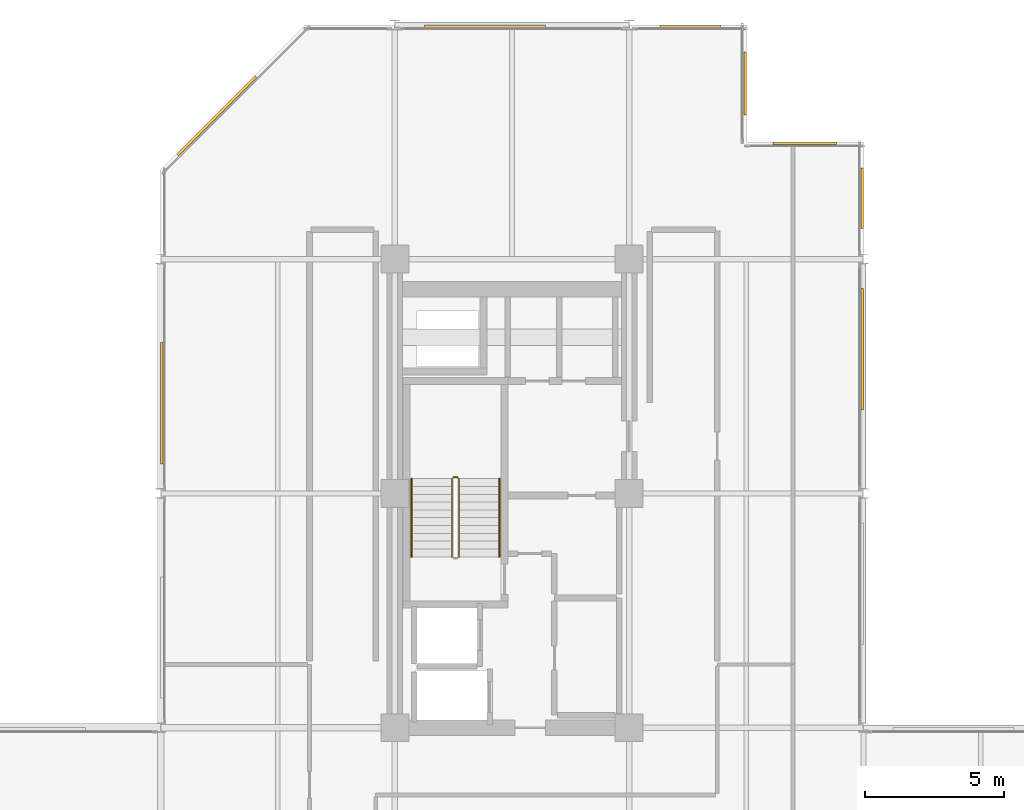
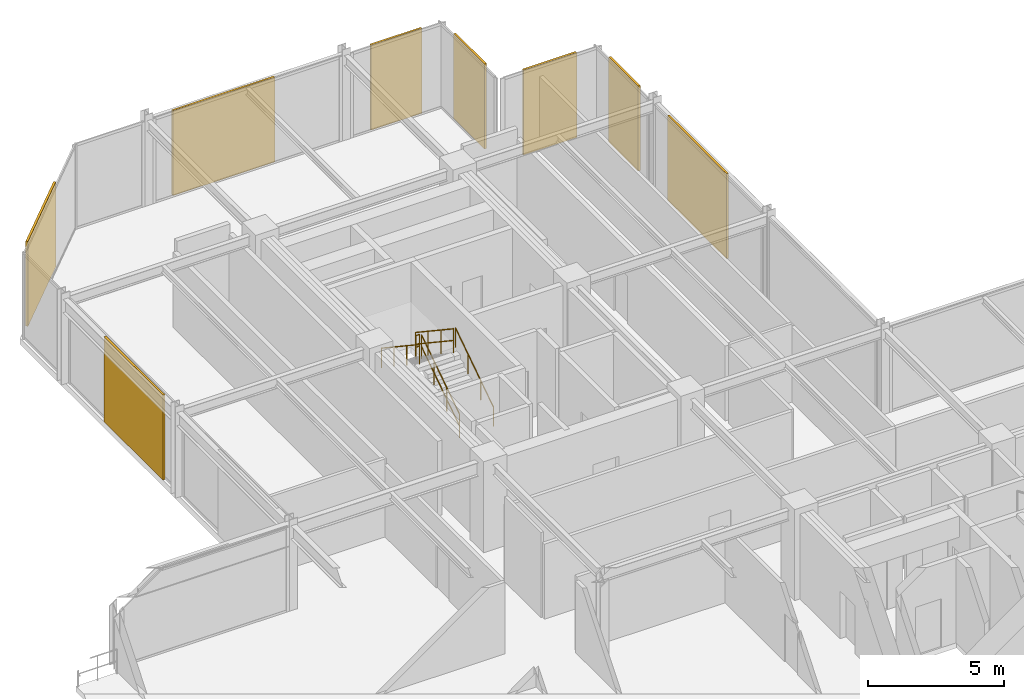
# One storey, part 29 of 29: 8 coverings, 5 railings.
"""IFC4 building model written with IfcOpenShell, lengths in metres."""

from ifc_helpers import new_model, si_unit, direction, frame, origin, origin_2d, place, context, subcontext, project, spatial, rectangle, circle, extrude, material, layer, layer_set, type_object, element, save


model = new_model("IFC4")

# Units and contexts
model_context = context("Model", 3, precision=1e-05, world=origin(), true_north=direction((0.0, 1.0)))
body_context = subcontext(model_context, "Body", "Model", "MODEL_VIEW")
ifc_project = project(units=[si_unit("LENGTHUNIT", "METRE"), si_unit("AREAUNIT", "SQUARE_METRE"), si_unit("VOLUMEUNIT", "CUBIC_METRE"), si_unit("PLANEANGLEUNIT", "RADIAN"), si_unit("MASSUNIT", "GRAM", prefix="KILO")], contexts=[model_context])

# Site, building, storey
site_placement = place(None, origin())
site = spatial("IfcSite", under=ifc_project, at=site_placement, CompositionType="ELEMENT")
building_placement = place(site_placement, origin())
building = spatial("IfcBuilding", under=site, at=building_placement, Name="Nerrivon Quay Data Exchange", CompositionType="ELEMENT")
storey_placement = place(building_placement, frame((0.0, 0.0, 208.300048828125)))
storey = spatial("IfcBuildingStorey", under=building, at=storey_placement, Name="L49", CompositionType="ELEMENT", Elevation=208.300048828125)

# Coverings
ifc_material_1 = material(Name="Architectural terracotta ceramic", Category="masonry")
ifc_layer = layer(ifc_material_1, 0.090087890625)
ifc_layer_set = layer_set([ifc_layer], Name="Architectural terracotta ceramic")
covering_type = type_object("IfcCoveringType", Name="COV-SCR-TERR", PredefinedType="CLADDING", material=ifc_layer_set)
covering_1_placement = place(storey_placement, frame((0.044921875, 36.833984375, 0.0), z_axis=(0.0, 0.0, 1.0), x_axis=(0.0, 1.0, 0.0)))
element("IfcCovering", 1, at=covering_1_placement, inside=storey, type_object=covering_type, Name="L49 Perforated Terracotta SOLAR SCREEN Cassette", PredefinedType="CLADDING", context=body_context, shape_type="SweptSolid", body=[
    extrude(rectangle(XDim=4.346923828125, YDim=0.090087890625, at=origin_2d()), origin(), (0.0, 0.0, 1.0), 3.824951171875),
])
covering_2_placement = place(storey_placement, frame((2.0078125, 47.144287109375, 0.0), z_axis=(0.0, 0.0, 1.0), x_axis=(0.707106781187, 0.707106781187, 0.0)))
element("IfcCovering", 2, at=covering_2_placement, inside=storey, type_object=covering_type, Name="L49 Perforated Terracotta SOLAR SCREEN Cassette", PredefinedType="CLADDING", context=body_context, shape_type="SweptSolid", body=[
    extrude(rectangle(XDim=3.970947265625, YDim=0.090087890625, at=origin_2d()), origin(), (0.0, 0.0, 1.0), 3.824951171875),
])
covering_3_placement = place(storey_placement, frame((11.634033203125, 50.35498046875, 0.0), z_axis=(0.0, 0.0, 1.0), x_axis=(1.0, 0.0, 0.0)))
element("IfcCovering", 3, at=covering_3_placement, inside=storey, type_object=covering_type, Name="L49 Perforated Terracotta SOLAR SCREEN Cassette", PredefinedType="CLADDING", context=body_context, shape_type="SweptSolid", body=[
    extrude(rectangle(XDim=4.346923828125, YDim=0.090087890625, at=origin_2d()), origin(), (0.0, 0.0, 1.0), 3.824951171875),
])
covering_4_placement = place(storey_placement, frame((18.987548828125, 50.35498046875, 0.0), z_axis=(0.0, 0.0, 1.0), x_axis=(1.0, 0.0, 0.0)))
element("IfcCovering", 4, at=covering_4_placement, inside=storey, type_object=covering_type, Name="L49 Perforated Terracotta SOLAR SCREEN Cassette", PredefinedType="CLADDING", context=body_context, shape_type="SweptSolid", body=[
    extrude(rectangle(XDim=2.173095703125, YDim=0.090087890625, at=origin_2d()), origin(), (0.0, 0.0, 1.0), 3.824951171875),
])
for number, where, z_axis, x_axis, name in (
    (5, (20.955078125, 48.300048828125, 0.0), (0.0, 0.0, 1.0), (0.0, -1.0, 0.0), "L49 Perforated Terracotta SOLAR SCREEN Cassette"),
    (6, (23.10009765625, 46.155029296875, 0.0), (0.0, 0.0, 1.0), (1.0, 0.0, 0.0), "L49 Perforated Terracotta SOLAR SCREEN Cassette"),
):
    element("IfcCovering", number, at=place(storey_placement, frame(where, z_axis=z_axis, x_axis=x_axis)), inside=storey, type_object=covering_type, Name=name, PredefinedType="CLADDING", context=body_context, shape_type="SweptSolid", body=[
        extrude(rectangle(XDim=2.26806640625, YDim=0.090087890625, at=origin_2d()), origin(), (0.0, 0.0, 1.0), 3.824951171875),
    ])
covering_5_placement = place(storey_placement, frame((25.155029296875, 44.1875, 0.0), z_axis=(0.0, 0.0, 1.0), x_axis=(0.0, -1.0, 0.0)))
element("IfcCovering", 7, at=covering_5_placement, inside=storey, type_object=covering_type, Name="L49 Perforated Terracotta SOLAR SCREEN Cassette", PredefinedType="CLADDING", context=body_context, shape_type="SweptSolid", body=[
    extrude(rectangle(XDim=2.174072265625, YDim=0.090087890625, at=origin_2d()), origin(), (0.0, 0.0, 1.0), 3.824951171875),
])
covering_6_placement = place(storey_placement, frame((25.155029296875, 38.76611328125, 0.0), z_axis=(0.0, 0.0, 1.0), x_axis=(0.0, -1.0, 0.0)))
element("IfcCovering", 8, at=covering_6_placement, inside=storey, type_object=covering_type, Name="L49 Perforated Terracotta SOLAR SCREEN Cassette", PredefinedType="CLADDING", context=body_context, shape_type="SweptSolid", body=[
    extrude(rectangle(XDim=4.346923828125, YDim=0.090087890625, at=origin_2d()), origin(), (0.0, 0.0, 1.0), 3.824951171875),
])

# Railings
ifc_material_2 = material(Name="Steel Grade C350L0 (350 MPa)", Category="steel")
railing_type_1 = type_object("IfcRailingType", Name="RAIL-HAND-HR1", PredefinedType="HANDRAIL", material=ifc_material_2)
railing_1_placement = place(storey_placement, frame((12.14990234375, 31.330078125, 0.186279296875)))
element("IfcRailing", 9, at=railing_1_placement, inside=storey, type_object=railing_type_1, Name="L49 ST01 stair handrail 1", PredefinedType="HANDRAIL", context=body_context, shape_type="SweptSolid", body=[
    extrude(circle(Radius=0.02392578125, at=origin_2d()), frame((0.0, 0.0, 0.8759765625), z_axis=(0.0, 0.832429786209, 0.554130536094), x_axis=(-1.0, 0.0, 0.0)), (0.0, 0.0, 1.0), 3.363525390625),
    extrude(circle(Radius=0.02099609375, at=origin_2d()), origin(), (0.0, 0.0, 1.0), 0.851806640625),
    extrude(circle(Radius=0.02099609375, at=origin_2d()), frame((0.0, 0.933349609375, 0.621337890625)), (0.0, 0.0, 1.0), 0.851806640625),
    extrude(circle(Radius=0.02099609375, at=origin_2d()), frame((0.0, 1.866455078125, 1.242431640625)), (0.0, 0.0, 1.0), 0.851806640625),
    extrude(circle(Radius=0.02099609375, at=origin_2d()), frame((0.0, 2.7998046875, 1.86376953125)), (0.0, 0.0, 1.0), 0.851806640625),
])
railing_2_placement = place(storey_placement, frame((9.0, 34.1298828125, 2.236328125)))
element("IfcRailing", 10, at=railing_2_placement, inside=storey, type_object=railing_type_1, Name="L49 ST01 stair handrail 2", PredefinedType="HANDRAIL", context=body_context, shape_type="SweptSolid", body=[
    extrude(circle(Radius=0.02392578125, at=origin_2d()), frame((0.0, 0.0, 0.8759765625), z_axis=(0.0, -0.832463268671, 0.554080234545), x_axis=(1.0, 0.0, 0.0)), (0.0, 0.0, 1.0), 3.36328125),
    extrude(circle(Radius=0.02099609375, at=origin_2d()), origin(), (0.0, 0.0, 1.0), 0.851806640625),
    extrude(circle(Radius=0.02099609375, at=origin_2d()), frame((0.0, -0.933349609375, 0.62109375)), (0.0, 0.0, 1.0), 0.851806640625),
    extrude(circle(Radius=0.02099609375, at=origin_2d()), frame((0.0, -1.866455078125, 1.242431640625)), (0.0, 0.0, 1.0), 0.851806640625),
    extrude(circle(Radius=0.02099609375, at=origin_2d()), frame((0.0, -2.7998046875, 1.863525390625)), (0.0, 0.0, 1.0), 0.851806640625),
])
railing_type_2 = type_object("IfcRailingType", Name="RAIL-STAIR-GR1", PredefinedType="BALUSTRADE", material=ifc_material_2)
railing_3_placement = place(storey_placement, frame((10.699951171875, 31.330078125, 0.186279296875)))
element("IfcRailing", 11, at=railing_3_placement, inside=storey, type_object=railing_type_2, Name="L49 ST01 stair guard 1", PredefinedType="BALUSTRADE", context=body_context, shape_type="SweptSolid", body=[
    extrude(circle(Radius=0.02392578125, at=origin_2d()), frame((0.0, 0.0, 1.076171875), z_axis=(0.0, 0.832429786209, 0.554130536094), x_axis=(-1.0, 0.0, 0.0)), (0.0, 0.0, 1.0), 3.363525390625),
    extrude(circle(Radius=0.02392578125, at=origin_2d()), frame((0.0, 0.0, 0.550048828125), z_axis=(0.0, 0.832429786209, 0.554130536094), x_axis=(-1.0, 0.0, 0.0)), (0.0, 0.0, 1.0), 3.363525390625),
    extrude(circle(Radius=0.02099609375, at=origin_2d()), origin(), (0.0, 0.0, 1.0), 1.052001953125),
    extrude(circle(Radius=0.02099609375, at=origin_2d()), frame((0.0, 0.933349609375, 0.621337890625)), (0.0, 0.0, 1.0), 1.052001953125),
    extrude(circle(Radius=0.02099609375, at=origin_2d()), frame((0.0, 1.866455078125, 1.242431640625)), (0.0, 0.0, 1.0), 1.052001953125),
    extrude(circle(Radius=0.02099609375, at=origin_2d()), frame((0.0, 2.7998046875, 1.86376953125)), (0.0, 0.0, 1.0), 1.052001953125),
])
railing_4_placement = place(storey_placement, frame((10.64990234375, 34.179931640625, 2.050048828125)))
element("IfcRailing", 12, at=railing_4_placement, inside=storey, type_object=railing_type_2, Name="L49 ST01 stair guard 2", PredefinedType="BALUSTRADE", context=body_context, shape_type="SweptSolid", body=[
    extrude(circle(Radius=0.02392578125, at=origin_2d()), frame((0.0, 0.0, 1.076171875), z_axis=(-1.0, 0.0, 0.0), x_axis=(0.0, -1.0, 0.0)), (0.0, 0.0, 1.0), 0.14990234375),
    extrude(circle(Radius=0.02392578125, at=origin_2d()), frame((0.0, 0.0, 0.550048828125), z_axis=(-1.0, 0.0, 0.0), x_axis=(0.0, -1.0, 0.0)), (0.0, 0.0, 1.0), 0.14990234375),
    extrude(circle(Radius=0.02099609375, at=origin_2d()), origin(), (0.0, 0.0, 1.0), 1.052001953125),
    extrude(circle(Radius=0.02099609375, at=origin_2d()), frame((-0.14990234375, 0.0, 0.0)), (0.0, 0.0, 1.0), 1.052001953125),
])
railing_5_placement = place(storey_placement, frame((10.449951171875, 34.1298828125, 2.236328125)))
element("IfcRailing", 13, at=railing_5_placement, inside=storey, type_object=railing_type_2, Name="L49 ST01 stair guard 3", PredefinedType="BALUSTRADE", context=body_context, shape_type="SweptSolid", body=[
    extrude(circle(Radius=0.02392578125, at=origin_2d()), frame((0.0, 0.0, 1.076171875), z_axis=(0.0, -0.832463268671, 0.554080234545), x_axis=(1.0, 0.0, 0.0)), (0.0, 0.0, 1.0), 3.36328125),
    extrude(circle(Radius=0.02392578125, at=origin_2d()), frame((0.0, 0.0, 0.550048828125), z_axis=(0.0, -0.832463268671, 0.554080234545), x_axis=(1.0, 0.0, 0.0)), (0.0, 0.0, 1.0), 3.36328125),
    extrude(circle(Radius=0.02099609375, at=origin_2d()), origin(), (0.0, 0.0, 1.0), 1.052001953125),
    extrude(circle(Radius=0.02099609375, at=origin_2d()), frame((0.0, -0.933349609375, 0.62109375)), (0.0, 0.0, 1.0), 1.052001953125),
    extrude(circle(Radius=0.02099609375, at=origin_2d()), frame((0.0, -1.866455078125, 1.242431640625)), (0.0, 0.0, 1.0), 1.052001953125),
    extrude(circle(Radius=0.02099609375, at=origin_2d()), frame((0.0, -2.7998046875, 1.863525390625)), (0.0, 0.0, 1.0), 1.052001953125),
])

save(model, "model.ifc")
